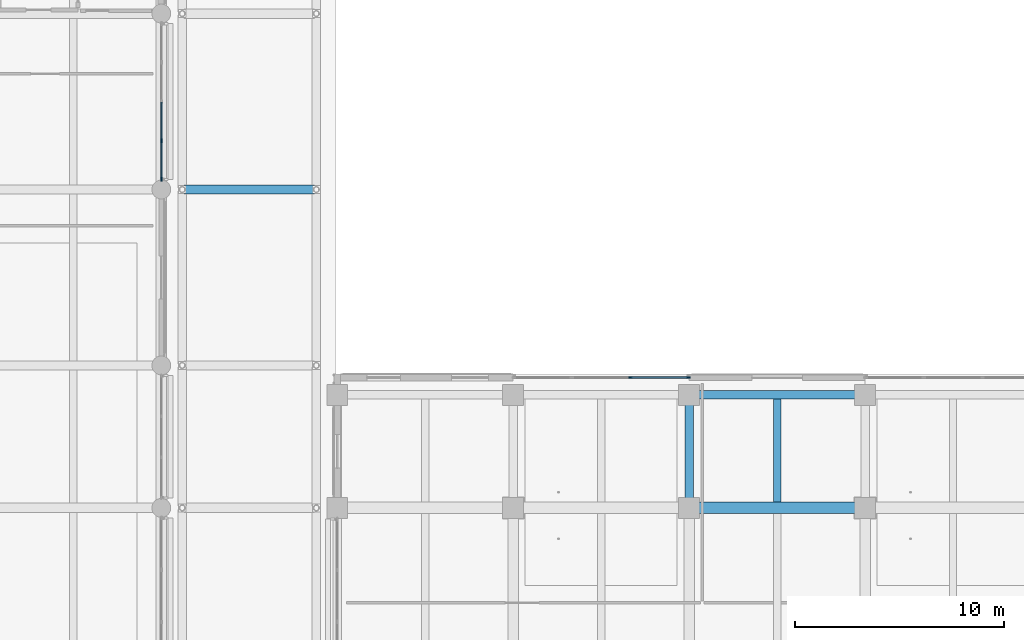
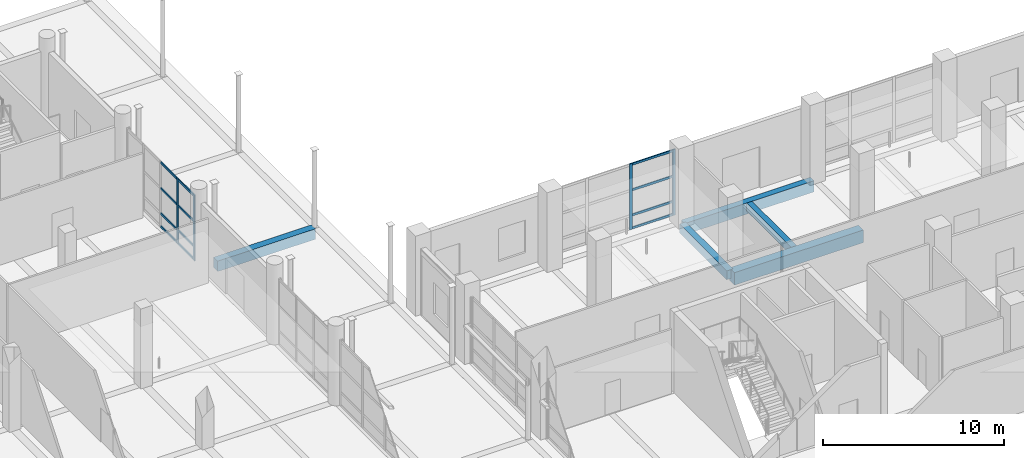
# One storey, part 27 of 140: 16 members, 5 beams, 2 elements without a shape of their own.
"""IFC4 building model written with IfcOpenShell, lengths in metres."""

from ifc_helpers import new_model, si_unit, direction, frame, origin, origin_2d, place, context, subcontext, project, spatial, rectangle, extrude, material, layer, layer_set, material_profile, profile_set, type_object, element, aggregate, save


model = new_model("IFC4")

# Units and contexts
model_context = context("Model", 3, precision=1e-05, world=origin(), true_north=direction((0.0, 1.0)))
body_context = subcontext(model_context, "Body", "Model", "MODEL_VIEW")
ifc_project = project(units=[si_unit("LENGTHUNIT", "METRE"), si_unit("AREAUNIT", "SQUARE_METRE"), si_unit("VOLUMEUNIT", "CUBIC_METRE"), si_unit("PLANEANGLEUNIT", "RADIAN"), si_unit("MASSUNIT", "GRAM", prefix="KILO")], contexts=[model_context])

# Site, building, storey
site_placement = place(None, origin())
site = spatial("IfcSite", under=ifc_project, at=site_placement, CompositionType="ELEMENT")
building_placement = place(site_placement, origin())
building = spatial("IfcBuilding", under=site, at=building_placement, Name="Telukmera Botanical Conservatory", CompositionType="ELEMENT")
storey_placement = place(building_placement, origin())
storey = spatial("IfcBuildingStorey", under=building, at=storey_placement, Name="L00", CompositionType="ELEMENT", Elevation=0.0)

# Beams
ifc_material_1 = material(Name="Concrete C40/50", Category="concrete")
ifc_material_profile_1 = material_profile(ifc_material_1, rectangle(XDim=0.449951171875, YDim=0.699951171875, at=origin_2d()), Name="RC 450x700")
ifc_profile_set_1 = profile_set([ifc_material_profile_1], Name="Concrete C40/50")
beam_type_1 = type_object("IfcBeamType", Name="Beam_B15", PredefinedType="BEAM", material=ifc_profile_set_1)
beam_1_placement = place(storey_placement, frame((43.080078125, 58.0, -0.35009765625), z_axis=(1.0, 0.0, 0.0), x_axis=(0.0, 1.0, 0.0)))
element("IfcBeam", 1, at=beam_1_placement, inside=storey, type_object=beam_type_1, Name="West Arcade Deck Transverse Beam L00", PredefinedType="BEAM", context=body_context, shape_type="SweptSolid", body=[
    extrude(rectangle(XDim=0.449951171875, YDim=0.699951171875, at=origin_2d()), origin(), (0.0, 0.0, 1.0), 6.239990234375),
])
ifc_material_profile_2 = material_profile(ifc_material_1, rectangle(XDim=0.39990234375, YDim=0.60009765625, at=origin_2d()), Name="RC 400x600")
ifc_profile_set_2 = profile_set([ifc_material_profile_2], Name="Concrete C40/50")
beam_type_2 = type_object("IfcBeamType", Name="Beam_B18", PredefinedType="BEAM", material=ifc_profile_set_2)
beam_2_placement = place(storey_placement, frame((67.199951171875, 42.8798828125, -0.300048828125), z_axis=(0.0, 1.0, 0.0), x_axis=(-1.0, 0.0, 0.0)))
element("IfcBeam", 2, at=beam_2_placement, inside=storey, type_object=beam_type_2, Name="Tower Transverse Beam L00", PredefinedType="BEAM", context=body_context, shape_type="SweptSolid", body=[
    extrude(rectangle(XDim=0.39990234375, YDim=0.60009765625, at=origin_2d()), origin(), (0.0, 0.0, 1.0), 5.240234375),
])
ifc_material_profile_3 = material_profile(ifc_material_1, rectangle(XDim=0.35009765625, YDim=0.550048828125, at=origin_2d()), Name="RC 350x550")
ifc_profile_set_3 = profile_set([ifc_material_profile_3], Name="Concrete C40/50")
beam_type_3 = type_object("IfcBeamType", Name="Beam_B21", PredefinedType="JOIST", material=ifc_profile_set_3)
beam_3_placement = place(storey_placement, frame((71.39990234375, 43.074951171875, -0.27490234375), z_axis=(0.0, 1.0, 0.0), x_axis=(-1.0, 0.0, 0.0)))
element("IfcBeam", 3, at=beam_3_placement, inside=storey, type_object=beam_type_3, Name="Tower Secondary Floor Joist L00", PredefinedType="JOIST", context=body_context, shape_type="SweptSolid", body=[
    extrude(rectangle(XDim=0.35009765625, YDim=0.550048828125, at=origin_2d()), origin(), (0.0, 0.0, 1.0), 4.925048828125),
])
ifc_material_profile_4 = material_profile(ifc_material_1, rectangle(XDim=0.550048828125, YDim=0.85009765625, at=origin_2d()), Name="RC 550x850")
ifc_profile_set_4 = profile_set([ifc_material_profile_4], Name="Concrete C40/50")
beam_type_4 = type_object("IfcBeamType", Name="Beam_B4", PredefinedType="BEAM", material=ifc_profile_set_4)
beam_4_placement = place(storey_placement, frame((67.280029296875, 42.800048828125, -0.425048828125), z_axis=(1.0, 0.0, 0.0), x_axis=(0.0, 1.0, 0.0)))
element("IfcBeam", 4, at=beam_4_placement, inside=storey, type_object=beam_type_4, Name="Tower Grid Beam L00", PredefinedType="BEAM", context=body_context, shape_type="SweptSolid", body=[
    extrude(rectangle(XDim=0.550048828125, YDim=0.85009765625, at=origin_2d()), origin(), (0.0, 0.0, 1.0), 8.239990234375),
])
ifc_material_2 = material(Name="Precast concrete C40/50", Category="concrete")
ifc_material_profile_5 = material_profile(ifc_material_2, rectangle(XDim=0.39990234375, YDim=0.75, at=origin_2d()), Name="PC 400x750")
ifc_profile_set_5 = profile_set([ifc_material_profile_5], Name="Precast concrete C40/50")
beam_type_5 = type_object("IfcBeamType", Name="Beam_SP1", PredefinedType="SPANDREL", material=ifc_profile_set_5)
beam_5_placement = place(storey_placement, frame((67.280029296875, 48.199951171875, -0.375), z_axis=(1.0, 0.0, 0.0), x_axis=(0.0, 1.0, 0.0)))
element("IfcBeam", 5, at=beam_5_placement, inside=storey, type_object=beam_type_5, Name="Tower Grid Beam L00", PredefinedType="SPANDREL", context=body_context, shape_type="SweptSolid", body=[
    extrude(rectangle(XDim=0.39990234375, YDim=0.75, at=origin_2d()), origin(), (0.0, 0.0, 1.0), 8.239990234375),
])

# Curtain wall, members
ifc_material_3 = material(Name="Anodised aluminium 6063-T6", Category="aluminium")
ifc_layer_1 = layer(ifc_material_3, 0.179931640625)
ifc_layer_set_1 = layer_set([ifc_layer_1], Name="Anodised aluminium 6063-T6")
curtain_wall_type_1 = type_object("IfcCurtainWallType", Name="Visitor Colonnade Ground Curtain Wall 1800 Mod", PredefinedType="USERDEFINED", material=ifc_layer_set_1)
curtain_wall_1_placement = place(storey_placement, origin())
curtain_wall_1 = element("IfcCurtainWall", 6, at=curtain_wall_1_placement, inside=storey, type_object=curtain_wall_type_1, Name="Unitised Curtain Wall CW06 V3:L00:E6", ObjectType="UNITISED CURTAIN WALL", PredefinedType="USERDEFINED")
ifc_material_profile_6 = material_profile(ifc_material_3, rectangle(XDim=0.070068359375, YDim=0.179931640625, at=origin_2d()), Name="ALU MULL 70x180")
ifc_profile_set_6 = profile_set([ifc_material_profile_6], Name="Anodised aluminium 6063-T6")
member_type_1 = type_object("IfcMemberType", Name="Curtain Wall Extruded Mullion 70x180", PredefinedType="MULLION", material=ifc_profile_set_6)
member_1_placement = place(storey_placement, frame((42.0, 58.487060546875, 0.0), z_axis=(0.0, 0.0, 1.0), x_axis=(-1.0, 0.0, 0.0)))
member_1 = element("IfcMember", 7, at=member_1_placement, type_object=member_type_1, Name="CW06 mullion 1", PredefinedType="MULLION", context=body_context, shape_type="SweptSolid", body=[
    extrude(rectangle(XDim=0.070068359375, YDim=0.179931640625, at=origin_2d()), origin(), (0.0, 0.0, 1.0), 4.449951171875),
])
member_2_placement = place(storey_placement, frame((42.0, 60.325927734375, 0.0), z_axis=(0.0, 0.0, 1.0), x_axis=(-1.0, 0.0, 0.0)))
member_2 = element("IfcMember", 8, at=member_2_placement, type_object=member_type_1, Name="CW06 mullion 2", PredefinedType="MULLION", context=body_context, shape_type="SweptSolid", body=[
    extrude(rectangle(XDim=0.070068359375, YDim=0.179931640625, at=origin_2d()), origin(), (0.0, 0.0, 1.0), 4.449951171875),
])

ifc_layer_2 = layer(ifc_material_3, 0.179931640625)
ifc_layer_set_2 = layer_set([ifc_layer_2], Name="Anodised aluminium 6063-T6")
curtain_wall_type_2 = type_object("IfcCurtainWallType", Name="Tower Boulevard Podium Hall Curtain Wall", PredefinedType="USERDEFINED", material=ifc_layer_set_2)
curtain_wall_2_placement = place(storey_placement, origin())
curtain_wall_2 = element("IfcCurtainWall", 9, at=curtain_wall_2_placement, inside=storey, type_object=curtain_wall_type_2, Name="Unitised Curtain Wall CW12 V4:L00:N2", ObjectType="UNITISED CURTAIN WALL", PredefinedType="USERDEFINED")
member_3_placement = place(storey_placement, frame((64.3994140625, 49.02001953125, 0.0), z_axis=(0.0, 0.0, 1.0), x_axis=(0.0, 1.0, 0.0)))
member_3 = element("IfcMember", 10, at=member_3_placement, type_object=member_type_1, Name="CW12 mullion 3", PredefinedType="MULLION", context=body_context, shape_type="SweptSolid", body=[
    extrude(rectangle(XDim=0.070068359375, YDim=0.179931640625, at=origin_2d()), origin(), (0.0, 0.0, 1.0), 4.449951171875),
])
member_4_placement = place(storey_placement, frame((67.1630859375, 49.02001953125, 0.0), z_axis=(0.0, 0.0, 1.0), x_axis=(0.0, 1.0, 0.0)))
member_4 = element("IfcMember", 11, at=member_4_placement, type_object=member_type_1, Name="CW12 mullion 4", PredefinedType="MULLION", context=body_context, shape_type="SweptSolid", body=[
    extrude(rectangle(XDim=0.070068359375, YDim=0.179931640625, at=origin_2d()), origin(), (0.0, 0.0, 1.0), 4.449951171875),
])

# Member
ifc_material_profile_7 = material_profile(ifc_material_3, rectangle(XDim=0.070068359375, YDim=0.14990234375, at=origin_2d()), Name="ALU TRAN 70x150")
ifc_profile_set_7 = profile_set([ifc_material_profile_7], Name="Anodised aluminium 6063-T6")
member_type_2 = type_object("IfcMemberType", Name="Curtain Wall Extruded Transom 70x150", PredefinedType="USERDEFINED", material=ifc_profile_set_7)
member_5_placement = place(storey_placement, frame((42.0, 58.52197265625, 0.074951171875), z_axis=(0.0, 1.0, 0.0), x_axis=(-1.0, 0.0, 0.0)))
member_5 = element("IfcMember", 12, at=member_5_placement, type_object=member_type_2, Name="CW06 transom 1.1", ObjectType="TRANSOM", PredefinedType="USERDEFINED", context=body_context, shape_type="SweptSolid", body=[
    extrude(rectangle(XDim=0.070068359375, YDim=0.14990234375, at=origin_2d()), origin(), (0.0, 0.0, 1.0), 1.76904296875),
])

member_6_placement = place(storey_placement, frame((42.0, 58.52197265625, 0.949951171875), z_axis=(0.0, 1.0, 0.0), x_axis=(-1.0, 0.0, 0.0)))
member_6 = element("IfcMember", 13, at=member_6_placement, type_object=member_type_2, Name="CW06 transom 1.2", ObjectType="TRANSOM", PredefinedType="USERDEFINED", context=body_context, shape_type="SweptSolid", body=[
    extrude(rectangle(XDim=0.070068359375, YDim=0.14990234375, at=origin_2d()), origin(), (0.0, 0.0, 1.0), 1.76904296875),
])

member_7_placement = place(storey_placement, frame((42.0, 58.52197265625, 2.64990234375), z_axis=(0.0, 1.0, 0.0), x_axis=(-1.0, 0.0, 0.0)))
member_7 = element("IfcMember", 14, at=member_7_placement, type_object=member_type_2, Name="CW06 transom 1.3", ObjectType="TRANSOM", PredefinedType="USERDEFINED", context=body_context, shape_type="SweptSolid", body=[
    extrude(rectangle(XDim=0.070068359375, YDim=0.14990234375, at=origin_2d()), origin(), (0.0, 0.0, 1.0), 1.76904296875),
])

member_8_placement = place(storey_placement, frame((42.0, 58.52197265625, 4.375), z_axis=(0.0, 1.0, 0.0), x_axis=(-1.0, 0.0, 0.0)))
member_8 = element("IfcMember", 15, at=member_8_placement, type_object=member_type_2, Name="CW06 transom 1.4", ObjectType="TRANSOM", PredefinedType="USERDEFINED", context=body_context, shape_type="SweptSolid", body=[
    extrude(rectangle(XDim=0.070068359375, YDim=0.14990234375, at=origin_2d()), origin(), (0.0, 0.0, 1.0), 1.76904296875),
])

member_9_placement = place(storey_placement, frame((42.0, 60.361083984375, 0.074951171875), z_axis=(0.0, 1.0, 0.0), x_axis=(-1.0, 0.0, 0.0)))
member_9 = element("IfcMember", 16, at=member_9_placement, type_object=member_type_2, Name="CW06 transom 2.1", ObjectType="TRANSOM", PredefinedType="USERDEFINED", context=body_context, shape_type="SweptSolid", body=[
    extrude(rectangle(XDim=0.070068359375, YDim=0.14990234375, at=origin_2d()), origin(), (0.0, 0.0, 1.0), 1.803955078125),
])

member_10_placement = place(storey_placement, frame((42.0, 60.361083984375, 0.949951171875), z_axis=(0.0, 1.0, 0.0), x_axis=(-1.0, 0.0, 0.0)))
member_10 = element("IfcMember", 17, at=member_10_placement, type_object=member_type_2, Name="CW06 transom 2.2", ObjectType="TRANSOM", PredefinedType="USERDEFINED", context=body_context, shape_type="SweptSolid", body=[
    extrude(rectangle(XDim=0.070068359375, YDim=0.14990234375, at=origin_2d()), origin(), (0.0, 0.0, 1.0), 1.803955078125),
])

member_11_placement = place(storey_placement, frame((42.0, 60.361083984375, 2.64990234375), z_axis=(0.0, 1.0, 0.0), x_axis=(-1.0, 0.0, 0.0)))
member_11 = element("IfcMember", 18, at=member_11_placement, type_object=member_type_2, Name="CW06 transom 2.3", ObjectType="TRANSOM", PredefinedType="USERDEFINED", context=body_context, shape_type="SweptSolid", body=[
    extrude(rectangle(XDim=0.070068359375, YDim=0.14990234375, at=origin_2d()), origin(), (0.0, 0.0, 1.0), 1.803955078125),
])

member_12_placement = place(storey_placement, frame((42.0, 60.361083984375, 4.375), z_axis=(0.0, 1.0, 0.0), x_axis=(-1.0, 0.0, 0.0)))
member_12 = element("IfcMember", 19, at=member_12_placement, type_object=member_type_2, Name="CW06 transom 2.4", ObjectType="TRANSOM", PredefinedType="USERDEFINED", context=body_context, shape_type="SweptSolid", body=[
    extrude(rectangle(XDim=0.070068359375, YDim=0.14990234375, at=origin_2d()), origin(), (0.0, 0.0, 1.0), 1.803955078125),
])

aggregate(curtain_wall_1, [member_1, member_2, member_5, member_6, member_7, member_8, member_9, member_10, member_11, member_12])

member_13_placement = place(storey_placement, frame((64.434326171875, 49.02001953125, 0.074951171875), z_axis=(1.0, 0.0, 0.0), x_axis=(0.0, 1.0, 0.0)))
member_13 = element("IfcMember", 20, at=member_13_placement, type_object=member_type_2, Name="CW12 transom 3.1", ObjectType="TRANSOM", PredefinedType="USERDEFINED", context=body_context, shape_type="SweptSolid", body=[
    extrude(rectangle(XDim=0.070068359375, YDim=0.14990234375, at=origin_2d()), origin(), (0.0, 0.0, 1.0), 2.693603515625),
])

member_14_placement = place(storey_placement, frame((64.434326171875, 49.02001953125, 0.949951171875), z_axis=(1.0, 0.0, 0.0), x_axis=(0.0, 1.0, 0.0)))
member_14 = element("IfcMember", 21, at=member_14_placement, type_object=member_type_2, Name="CW12 transom 3.2", ObjectType="TRANSOM", PredefinedType="USERDEFINED", context=body_context, shape_type="SweptSolid", body=[
    extrude(rectangle(XDim=0.070068359375, YDim=0.14990234375, at=origin_2d()), origin(), (0.0, 0.0, 1.0), 2.693603515625),
])

member_15_placement = place(storey_placement, frame((64.434326171875, 49.02001953125, 2.64990234375), z_axis=(1.0, 0.0, 0.0), x_axis=(0.0, 1.0, 0.0)))
member_15 = element("IfcMember", 22, at=member_15_placement, type_object=member_type_2, Name="CW12 transom 3.3", ObjectType="TRANSOM", PredefinedType="USERDEFINED", context=body_context, shape_type="SweptSolid", body=[
    extrude(rectangle(XDim=0.070068359375, YDim=0.14990234375, at=origin_2d()), origin(), (0.0, 0.0, 1.0), 2.693603515625),
])

member_16_placement = place(storey_placement, frame((64.434326171875, 49.02001953125, 4.375), z_axis=(1.0, 0.0, 0.0), x_axis=(0.0, 1.0, 0.0)))
member_16 = element("IfcMember", 23, at=member_16_placement, type_object=member_type_2, Name="CW12 transom 3.4", ObjectType="TRANSOM", PredefinedType="USERDEFINED", context=body_context, shape_type="SweptSolid", body=[
    extrude(rectangle(XDim=0.070068359375, YDim=0.14990234375, at=origin_2d()), origin(), (0.0, 0.0, 1.0), 2.693603515625),
])

aggregate(curtain_wall_2, [member_3, member_4, member_13, member_14, member_15, member_16])

save(model, "model.ifc")
